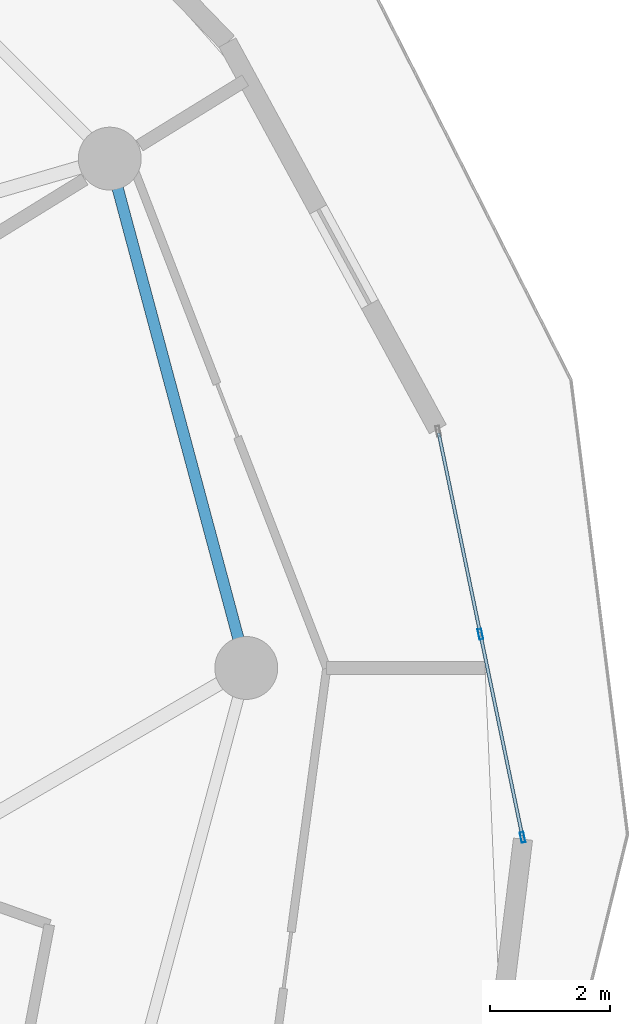
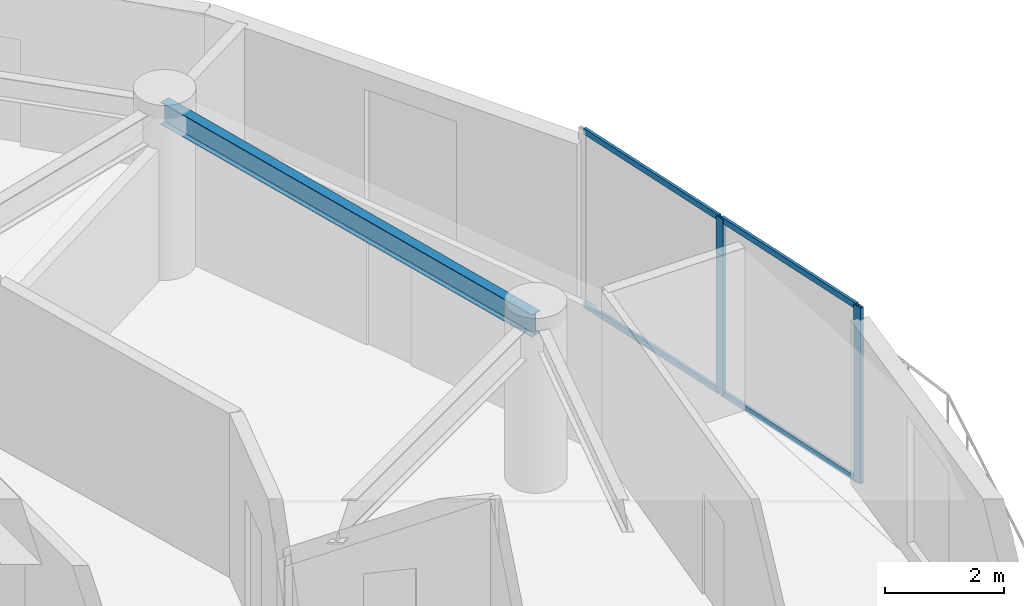
# One storey, part 13 of 25: 6 members, 1 beam, 1 element without a shape of its own.
"""IFC4 building model written with IfcOpenShell, lengths in metres."""

import ifcopenshell
import ifcopenshell.guid

model = None  # the IFC model being written
_history = None  # IfcOwnerHistory: only IFC2X3 demands one
_inside = {}  # id of a spatial element -> (the spatial element, [elements in it])
_under = {}  # id of a project, library or spatial element -> (it, [spatial elements below it])
_declared = {}  # id of a project -> (the project, [libraries it declares])
_typed = {}  # id of a type object -> (the type object, [elements of that type])
_made_of = {}  # id of a material, layer set ... -> (it, [elements and type objects made of it])


def new_model(schema):
    """Start an empty IFC model of exactly this schema.

    Asked for "IFC4X3", IfcOpenShell would pick the latest addendum, in which some entities
    have other attributes; the version numbers below select the first issue.
    IFC2X3 requires an IfcOwnerHistory on every rooted entity: one is made here for all.
    """
    global model, _history
    if schema == "IFC4X3":
        model = ifcopenshell.file(schema_version=(4, 3, 0, 0))
    else:
        model = ifcopenshell.file(schema=schema)
    _inside.clear()
    _under.clear()
    _declared.clear()
    _typed.clear()
    _made_of.clear()
    _history = None
    if model.schema == "IFC2X3":
        org = make("IfcOrganization", Name="unknown")
        user = make(
            "IfcPersonAndOrganization",
            ThePerson=make("IfcPerson", FamilyName="unknown"),
            TheOrganization=org,
        )
        app = make(
            "IfcApplication",
            ApplicationDeveloper=org,
            Version="unknown",
            ApplicationFullName="unknown",
            ApplicationIdentifier="unknown",
        )
        _history = make(
            "IfcOwnerHistory",
            OwningUser=user,
            OwningApplication=app,
            ChangeAction="ADDED",
            CreationDate=0,
        )
    return model


def make(cls, **values):
    """One entity of the class cls with the attributes given. An attribute that is None is left unset."""
    return model.create_entity(
        cls, **{name: value for name, value in values.items() if value is not None}
    )


def rooted(cls, **values):
    """An entity with a GlobalId (a new one), such as an element, a storey or a relation."""
    return make(cls, GlobalId=ifcopenshell.guid.new(), OwnerHistory=_history, **values)


def si_unit(unit_type, name, prefix=None):
    """IfcSIUnit, for example si_unit("LENGTHUNIT", "METRE", prefix="MILLI")."""
    return make("IfcSIUnit", UnitType=unit_type, Prefix=prefix, Name=name)


def assignment(units):
    """IfcUnitAssignment: the units of a project."""
    return None if units is None else make("IfcUnitAssignment", Units=units)


def point(xyz):
    """IfcCartesianPoint."""
    return None if xyz is None else make("IfcCartesianPoint", Coordinates=xyz)


def direction(xyz):
    """IfcDirection."""
    return None if xyz is None else make("IfcDirection", DirectionRatios=xyz)


def frame(location, z_axis=None, x_axis=None):
    """IfcAxis2Placement3D, a coordinate frame: its origin and axes. An axis left out is left unset."""
    return make(
        "IfcAxis2Placement3D",
        Location=point(location),
        Axis=direction(z_axis),
        RefDirection=direction(x_axis),
    )


def frame_2d(location, x_axis=None):
    """IfcAxis2Placement2D, a coordinate frame in the plane: its origin and x axis."""
    return make(
        "IfcAxis2Placement2D", Location=point(location), RefDirection=direction(x_axis)
    )


def origin():
    """The frame at (0, 0, 0) with its axes left unset."""
    return frame((0.0, 0.0, 0.0))


def origin_2d():
    """The frame at (0, 0) in the plane with its x axis left unset."""
    return frame_2d((0.0, 0.0))


def place(relative_to, where):
    """IfcLocalPlacement: puts the frame where relative to a parent placement (None: the world)."""
    return make(
        "IfcLocalPlacement", PlacementRelTo=relative_to, RelativePlacement=where
    )


def context(
    kind, dimensions, precision=None, world=None, true_north=None, identifier=None
):
    """IfcGeometricRepresentationContext, for example the 3D "Model" context."""
    return make(
        "IfcGeometricRepresentationContext",
        ContextIdentifier=identifier,
        ContextType=kind,
        CoordinateSpaceDimension=dimensions,
        Precision=precision,
        WorldCoordinateSystem=world,
        TrueNorth=true_north,
    )


def subcontext(parent, identifier, kind, view, scale=None):
    """IfcGeometricRepresentationSubContext, for example "Body" below "Model"."""
    return make(
        "IfcGeometricRepresentationSubContext",
        ContextIdentifier=identifier,
        ContextType=kind,
        ParentContext=parent,
        TargetScale=scale,
        TargetView=view,
    )


def project(units=None, contexts=None):
    """IfcProject with its units and contexts."""
    return rooted(
        "IfcProject",
        Name="project",
        RepresentationContexts=contexts,
        UnitsInContext=assignment(units),
    )


def spatial(cls, under=None, at=None, **own):
    """A site, building, storey or space (cls), placed at a placement, below another one or the project."""
    s = rooted(cls, ObjectPlacement=at, **own)
    if under is not None:
        _under.setdefault(under.id(), (under, []))[1].append(s)
    return s


def profile(cls, at=None, kind="AREA", **sizes):
    """A parametric profile (cls). Its sizes go by their IFC names, for example OverallWidth=200.0."""
    return make(cls, ProfileType=kind, Position=at, **sizes)


def hollow_rectangle(**sizes):
    """IfcRectangleHollowProfileDef."""
    return profile("IfcRectangleHollowProfileDef", **sizes)


def i_section(**sizes):
    """IfcIShapeProfileDef."""
    return profile("IfcIShapeProfileDef", **sizes)


def extrude(swept, where, along, depth):
    """IfcExtrudedAreaSolid: the profile swept, set in the frame where, extruded along a direction by depth."""
    return make(
        "IfcExtrudedAreaSolid",
        SweptArea=swept,
        Position=where,
        ExtrudedDirection=direction(along),
        Depth=depth,
    )


def shape(context_of_items, identifier, shape_type, items):
    """IfcShapeRepresentation: the items that make up one representation, for example the "Body"."""
    return make(
        "IfcShapeRepresentation",
        ContextOfItems=context_of_items,
        RepresentationIdentifier=identifier,
        RepresentationType=shape_type,
        Items=items,
    )


def source(mapping_origin, context_of_items, identifier, shape_type, items):
    """IfcRepresentationMap: a shape defined once, which mapped items show again and again."""
    return make(
        "IfcRepresentationMap",
        MappingOrigin=mapping_origin,
        MappedRepresentation=shape(context_of_items, identifier, shape_type, items),
    )


def transform(
    local_origin,
    x_axis=None,
    y_axis=None,
    z_axis=None,
    scale=None,
    scale2=None,
    scale3=None,
    uniform=True,
):
    """IfcCartesianTransformationOperator3D, or its non-uniform kind. x_axis, y_axis, z_axis: its Axis1, 2, 3."""
    if uniform:
        return make(
            "IfcCartesianTransformationOperator3D",
            Axis1=direction(x_axis),
            Axis2=direction(y_axis),
            LocalOrigin=point(local_origin),
            Scale=scale,
            Axis3=direction(z_axis),
        )
    return make(
        "IfcCartesianTransformationOperator3DnonUniform",
        Axis1=direction(x_axis),
        Axis2=direction(y_axis),
        LocalOrigin=point(local_origin),
        Scale=scale,
        Axis3=direction(z_axis),
        Scale2=scale2,
        Scale3=scale3,
    )


def mapped(mapping_source, mapping_target):
    """IfcMappedItem: shows the shape of a source again, moved by a transform."""
    return make(
        "IfcMappedItem", MappingSource=mapping_source, MappingTarget=mapping_target
    )


def material(Name=None, Category=None):
    """IfcMaterial."""
    return make("IfcMaterial", Name=Name, Category=Category)


def layer(
    of_material, thickness, ventilated=None, Name=None, Category=None, Priority=None
):
    """IfcMaterialLayer: one layer of a wall or slab, of a material (None: an air gap)."""
    return make(
        "IfcMaterialLayer",
        Material=of_material,
        LayerThickness=thickness,
        IsVentilated=ventilated,
        Name=Name,
        Category=Category,
        Priority=Priority,
    )


def layer_set(layers, Name=None):
    """IfcMaterialLayerSet."""
    return make("IfcMaterialLayerSet", MaterialLayers=layers, LayerSetName=Name)


def material_profile(
    of_material, cross_section, Name=None, Category=None, Priority=None
):
    """IfcMaterialProfile: a cross section and its material."""
    return make(
        "IfcMaterialProfile",
        Name=Name,
        Material=of_material,
        Profile=cross_section,
        Priority=Priority,
        Category=Category,
    )


def profile_set(profiles, Name=None, composite=None):
    """IfcMaterialProfileSet."""
    return make(
        "IfcMaterialProfileSet",
        Name=Name,
        MaterialProfiles=profiles,
        CompositeProfile=composite,
    )


def made_of(thing, what):
    """Note that an element or type object is made of a material, layer set ...; save() writes the relation."""
    if what is not None:
        _made_of.setdefault(what.id(), (what, []))[1].append(thing)
    return thing


def type_object(cls, material=None, **own):
    """A type object (cls), such as IfcWallType, which elements share."""
    return made_of(rooted(cls, **own), material)


def element(
    cls,
    number,
    at=None,
    inside=None,
    cuts=None,
    type_object=None,
    material=None,
    context=None,
    identifier="Body",
    shape_type=None,
    held_by="IfcProductDefinitionShape",
    body=None,
    shapes=None,
    **own,
):
    """One element of the class cls, such as IfcWall. Its Tag is "e" and its number.

    at: its placement. inside: the storey or other place that contains it. cuts: it is an
    opening in that element (IfcRelVoidsElement). A single representation is given by context,
    identifier, shape_type and body (its items); several are given by shapes. held_by: the class
    of the entity that holds the representations. save() writes the other relations.
    """
    e = rooted(cls, Tag="e%d" % number, ObjectPlacement=at, **own)
    if body is not None:
        shapes = [shape(context, identifier, shape_type, body)]
    if shapes is not None:
        e.Representation = make(held_by, Representations=shapes)
    if inside is not None:
        _inside.setdefault(inside.id(), (inside, []))[1].append(e)
    if cuts is not None:
        rooted(
            "IfcRelVoidsElement", RelatingBuildingElement=cuts, RelatedOpeningElement=e
        )
    if type_object is not None:
        _typed.setdefault(type_object.id(), (type_object, []))[1].append(e)
    return made_of(e, material)


def aggregate(whole, parts):
    """IfcRelAggregates: a whole, such as a stair, and the parts it consists of."""
    return rooted("IfcRelAggregates", RelatingObject=whole, RelatedObjects=parts)


def save(model, path):
    """Write the relations noted so far, then the file.

    IfcRelAggregates (storeys below a building ...), IfcRelContainedInSpatialStructure (elements
    in a storey), IfcRelDefinesByType, IfcRelAssociatesMaterial and IfcRelDeclares: one each for
    every whole, place, type object, material and project.
    """
    for whole, parts in _under.values():
        aggregate(whole, parts)
    for where, things in _inside.values():
        rooted(
            "IfcRelContainedInSpatialStructure",
            RelatedElements=things,
            RelatingStructure=where,
        )
    for kind, things in _typed.values():
        rooted("IfcRelDefinesByType", RelatedObjects=things, RelatingType=kind)
    for what, things in _made_of.values():
        rooted("IfcRelAssociatesMaterial", RelatedObjects=things, RelatingMaterial=what)
    for by, libraries in _declared.values():
        rooted("IfcRelDeclares", RelatingContext=by, RelatedDefinitions=libraries)
    model.write(path)


model = new_model("IFC4")

# Units and contexts
model_context = context("Model", 3, precision=1e-05, world=origin(), true_north=direction((0.0, 1.0)))
body_context = subcontext(model_context, "Body", "Model", "MODEL_VIEW")
ifc_project = project(units=[si_unit("LENGTHUNIT", "METRE"), si_unit("AREAUNIT", "SQUARE_METRE"), si_unit("VOLUMEUNIT", "CUBIC_METRE"), si_unit("PLANEANGLEUNIT", "RADIAN"), si_unit("MASSUNIT", "GRAM", prefix="KILO")], contexts=[model_context])

# Site, building, storey
site_placement = place(None, origin())
site = spatial("IfcSite", under=ifc_project, at=site_placement, CompositionType="ELEMENT")
building_placement = place(site_placement, origin())
building = spatial("IfcBuilding", under=site, at=building_placement, Name="Solvirekh Grand Hotel", CompositionType="ELEMENT")
storey_placement = place(building_placement, frame((0.0, 0.0, 127.800048828125)))
storey = spatial("IfcBuildingStorey", under=building, at=storey_placement, Name="L32", CompositionType="ELEMENT", Elevation=127.800048828125)

# Beam
ifc_material_1 = material(Name="Steel S355", Category="steel")
ifc_material_profile_1 = material_profile(ifc_material_1, i_section(OverallWidth=0.18994140625, OverallDepth=0.45703125, WebThickness=0.009033203125, FlangeThickness=0.013916015625, FilletRadius=0.012939453125, at=origin_2d()), Name="W460X74")
ifc_profile_set_1 = profile_set([ifc_material_profile_1], Name="Steel S355")
beam_type = type_object("IfcBeamType", Name="Spandrel_Ring_W460", PredefinedType="SPANDREL", material=ifc_profile_set_1)
beam_placement = place(storey_placement, frame((17.0, 0.0, 3.1220703125), z_axis=(-0.258872908946, 0.965911391906, 0.0), x_axis=(-0.965911391906, -0.258872908946, 0.0)))
element("IfcBeam", 1, at=beam_placement, inside=storey, type_object=beam_type, Name="L32 perimeter spandrel beam 1", PredefinedType="SPANDREL", context=body_context, shape_type="SweptSolid", body=[
    extrude(i_section(OverallWidth=0.18994140625, OverallDepth=0.45703125, WebThickness=0.009033203125, FlangeThickness=0.013916015625, FilletRadius=0.012939453125, at=origin_2d()), origin(), (0.0, 0.0, 1.0), 8.800048828125),
])

# Curtain wall, members
ifc_material_2 = material(Name="Anodized Bronze Aluminium 6063-T6", Category="aluminium")
ifc_layer = layer(ifc_material_2, 0.175048828125)
ifc_layer_set = layer_set([ifc_layer], Name="Anodized Bronze Aluminium 6063-T6")
curtain_wall_type = type_object("IfcCurtainWallType", Name="CW_Sys3_MidZoneFlushBronzeCW", PredefinedType="NOTDEFINED", material=ifc_layer_set)
curtain_wall_placement = place(storey_placement, origin())
curtain_wall = element("IfcCurtainWall", 2, at=curtain_wall_placement, inside=storey, type_object=curtain_wall_type, Name="L32 unitised bronze-glass curtain wall CW-L32-C03", PredefinedType="NOTDEFINED")
ifc_material_profile_2 = material_profile(ifc_material_2, hollow_rectangle(XDim=0.06494140625, YDim=0.175048828125, WallThickness=0.0048828125, at=origin_2d()), Name="ALU RHS 175X65X5")
ifc_profile_set_2 = profile_set([ifc_material_profile_2], Name="Anodized Bronze Aluminium 6063-T6")
member_type_1 = type_object("IfcMemberType", Name="CWMullion_Sys3", PredefinedType="MULLION", material=ifc_profile_set_2)
shared_shape_1 = source(origin(), body_context, "Body", "SweptSolid", [
    extrude(hollow_rectangle(XDim=0.06494140625, YDim=0.175048828125, WallThickness=0.0048828125, at=origin_2d()), origin(), (0.0, 0.0, 1.0), 3.599853515625),
])
member_1_placement = place(storey_placement, frame((21.611328125, -2.826171875, 0.0), z_axis=(0.0, 0.0, 1.0), x_axis=(-0.979112345229, -0.203319982834, 0.0)))
member_1 = element("IfcMember", 3, at=member_1_placement, type_object=member_type_1, Name="U03 mullion 1", PredefinedType="MULLION", context=body_context, shape_type="MappedRepresentation", body=[
    mapped(shared_shape_1, transform((0.0, 0.0, 0.0), x_axis=(1.0, 0.0, 0.0), y_axis=(0.0, 1.0, 0.0), z_axis=(0.0, 0.0, 1.0), scale=1.0)),
])
member_2_placement = place(storey_placement, frame((20.907470703125, 0.5634765625, 0.0), z_axis=(0.0, 0.0, 1.0), x_axis=(-0.979112345229, -0.203319982834, 0.0)))
member_2 = element("IfcMember", 4, at=member_2_placement, type_object=member_type_1, Name="U03 mullion 2", PredefinedType="MULLION", context=body_context, shape_type="MappedRepresentation", body=[
    mapped(shared_shape_1, transform((0.0, 0.0, 0.0), x_axis=(1.0, 0.0, 0.0), y_axis=(0.0, 1.0, 0.0), z_axis=(0.0, 0.0, 1.0), scale=1.0)),
])
ifc_material_profile_3 = material_profile(ifc_material_2, hollow_rectangle(XDim=0.054931640625, YDim=0.1201171875, WallThickness=0.00390625, at=origin_2d()), Name="ALU RHS 120X55X4")
ifc_profile_set_3 = profile_set([ifc_material_profile_3], Name="Anodized Bronze Aluminium 6063-T6")
member_type_2 = type_object("IfcMemberType", Name="CWTransom_Sys3", PredefinedType="USERDEFINED", material=ifc_profile_set_3)
shared_shape_2 = source(origin(), body_context, "Body", "SweptSolid", [
    extrude(hollow_rectangle(XDim=0.054931640625, YDim=0.1201171875, WallThickness=0.00390625, at=origin_2d()), origin(), (0.0, 0.0, 1.0), 3.397216796875),
])
member_3_placement = place(storey_placement, frame((21.604736328125, -2.79443359375, 0.02734375), z_axis=(-0.203311354476, 0.979114136933, 0.0), x_axis=(-0.979114136933, -0.203311354476, 0.0)))
member_3 = element("IfcMember", 5, at=member_3_placement, type_object=member_type_2, Name="U03 transom 1.1", ObjectType="TRANSOM", PredefinedType="USERDEFINED", context=body_context, shape_type="MappedRepresentation", body=[
    mapped(shared_shape_2, transform((0.0, 0.0, 0.0), x_axis=(1.0, 0.0, 0.0), y_axis=(0.0, 1.0, 0.0), z_axis=(0.0, 0.0, 1.0), scale=1.0)),
])
member_4_placement = place(storey_placement, frame((21.604736328125, -2.79443359375, 3.572509765625), z_axis=(-0.203311354476, 0.979114136933, 0.0), x_axis=(-0.979114136933, -0.203311354476, 0.0)))
member_4 = element("IfcMember", 6, at=member_4_placement, type_object=member_type_2, Name="U03 transom 1.2", ObjectType="TRANSOM", PredefinedType="USERDEFINED", context=body_context, shape_type="MappedRepresentation", body=[
    mapped(shared_shape_2, transform((0.0, 0.0, 0.0), x_axis=(1.0, 0.0, 0.0), y_axis=(0.0, 1.0, 0.0), z_axis=(0.0, 0.0, 1.0), scale=1.0)),
])
member_5_placement = place(storey_placement, frame((20.90087890625, 0.59521484375, 0.02734375), z_axis=(-0.203311354476, 0.979114136933, 0.0), x_axis=(-0.979114136933, -0.203311354476, 0.0)))
member_5 = element("IfcMember", 7, at=member_5_placement, type_object=member_type_2, Name="U03 transom 2.1", ObjectType="TRANSOM", PredefinedType="USERDEFINED", context=body_context, shape_type="MappedRepresentation", body=[
    mapped(shared_shape_2, transform((0.0, 0.0, 0.0), x_axis=(1.0, 0.0, 0.0), y_axis=(0.0, 1.0, 0.0), z_axis=(0.0, 0.0, 1.0), scale=1.0)),
])
member_6_placement = place(storey_placement, frame((20.90087890625, 0.59521484375, 3.572509765625), z_axis=(-0.203311354476, 0.979114136933, 0.0), x_axis=(-0.979114136933, -0.203311354476, 0.0)))
member_6 = element("IfcMember", 8, at=member_6_placement, type_object=member_type_2, Name="U03 transom 2.2", ObjectType="TRANSOM", PredefinedType="USERDEFINED", context=body_context, shape_type="MappedRepresentation", body=[
    mapped(shared_shape_2, transform((0.0, 0.0, 0.0), x_axis=(1.0, 0.0, 0.0), y_axis=(0.0, 1.0, 0.0), z_axis=(0.0, 0.0, 1.0), scale=1.0)),
])
aggregate(curtain_wall, [member_1, member_2, member_3, member_4, member_5, member_6])

save(model, "model.ifc")
